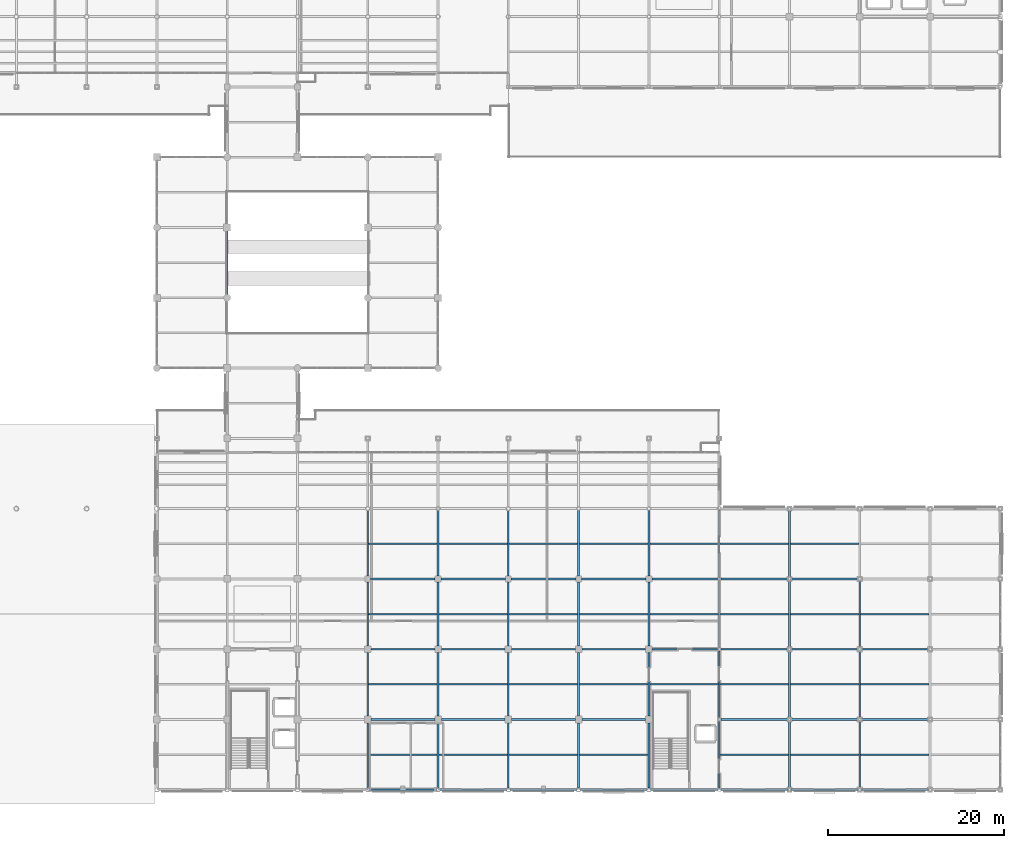
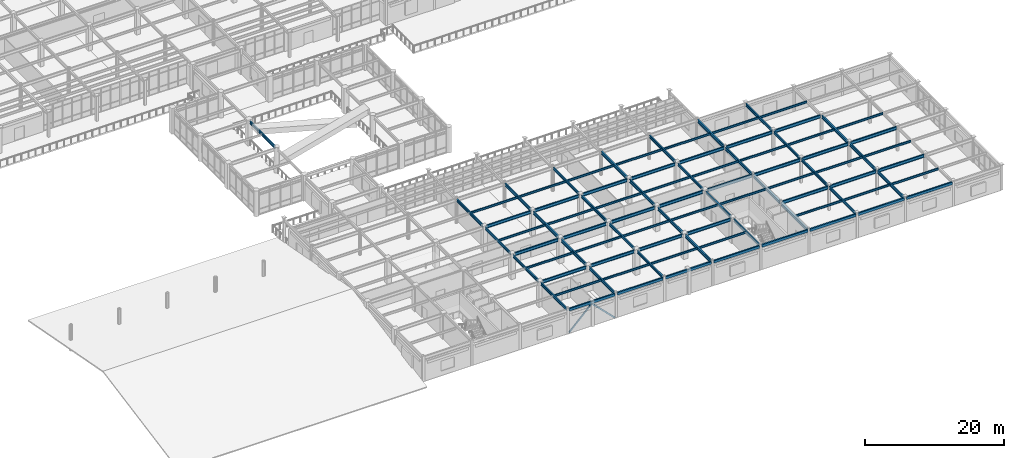
# One storey, part 25 of 111: 92 beams, 2 members.
"""IFC4 building model written with IfcOpenShell, lengths in metres."""

from ifc_helpers import new_model, si_unit, direction, frame, origin, origin_2d, place, context, subcontext, project, spatial, hollow_rectangle, i_section, extrude, material, material_profile, profile_set, type_object, element, save


model = new_model("IFC4")

# Units and contexts
model_context = context("Model", 3, precision=1e-05, world=origin(), true_north=direction((0.0, 1.0)))
body_context = subcontext(model_context, "Body", "Model", "MODEL_VIEW")
ifc_project = project(units=[si_unit("LENGTHUNIT", "METRE"), si_unit("AREAUNIT", "SQUARE_METRE"), si_unit("VOLUMEUNIT", "CUBIC_METRE"), si_unit("PLANEANGLEUNIT", "RADIAN"), si_unit("MASSUNIT", "GRAM", prefix="KILO")], contexts=[model_context])

# Site, building, storey
site_placement = place(None, origin())
site = spatial("IfcSite", under=ifc_project, at=site_placement, CompositionType="ELEMENT")
building_placement = place(site_placement, origin())
building = spatial("IfcBuilding", under=site, at=building_placement, Name="Solmirada Galleria", CompositionType="ELEMENT")
storey_placement = place(building_placement, frame((0.0, 0.0, 10.39990234375)))
storey = spatial("IfcBuildingStorey", under=building, at=storey_placement, Name="L02", CompositionType="ELEMENT", Elevation=10.39990234375)

# Beams
ifc_material_1 = material(Name="Steel S355 / ASTM A992 Grade 50", Category="steel")
ifc_material_profile_1 = material_profile(ifc_material_1, i_section(OverallWidth=0.194091796875, OverallDepth=0.468994140625, WebThickness=0.0126953125, FlangeThickness=0.0205078125, FilletRadius=0.013916015625, at=origin_2d()), Name="W18X71")
ifc_profile_set_1 = profile_set([ifc_material_profile_1], Name="Steel S355 / ASTM A992 Grade 50")
beam_type_1 = type_object("IfcBeamType", Name="BM-GIRD-W18B", PredefinedType="BEAM", material=ifc_profile_set_1)
beam_1_placement = place(storey_placement, frame((88.0, 56.3359375, 4.065673828125), z_axis=(0.0, 1.0, 0.0), x_axis=(-1.0, 0.0, 0.0)))
element("IfcBeam", 1, at=beam_1_placement, inside=storey, type_object=beam_type_1, Name="Primary girder L03 Y(88, 56..64)", PredefinedType="BEAM", context=body_context, shape_type="SweptSolid", body=[
    extrude(i_section(OverallWidth=0.194091796875, OverallDepth=0.468994140625, WebThickness=0.0126953125, FlangeThickness=0.0205078125, FilletRadius=0.013916015625, at=origin_2d()), origin(), (0.0, 0.0, 1.0), 7.26416015625),
])
beam_2_placement = place(storey_placement, frame((104.0, 0.202880859375, 4.065673828125), z_axis=(0.0, 1.0, 0.0), x_axis=(-1.0, 0.0, 0.0)))
element("IfcBeam", 2, at=beam_2_placement, inside=storey, type_object=beam_type_1, Name="Primary girder L03 Y(104, 0..8)", PredefinedType="BEAM", context=body_context, shape_type="SweptSolid", body=[
    extrude(i_section(OverallWidth=0.194091796875, OverallDepth=0.468994140625, WebThickness=0.0126953125, FlangeThickness=0.0205078125, FilletRadius=0.013916015625, at=origin_2d()), origin(), (0.0, 0.0, 1.0), 7.422119140625),
])
beam_3_placement = place(storey_placement, frame((104.0, 8.375, 4.065673828125), z_axis=(0.0, 1.0, 0.0), x_axis=(-1.0, 0.0, 0.0)))
element("IfcBeam", 3, at=beam_3_placement, inside=storey, type_object=beam_type_1, Name="Primary girder L03 Y(104, 8..16)", PredefinedType="BEAM", context=body_context, shape_type="SweptSolid", body=[
    extrude(i_section(OverallWidth=0.194091796875, OverallDepth=0.468994140625, WebThickness=0.0126953125, FlangeThickness=0.0205078125, FilletRadius=0.013916015625, at=origin_2d()), origin(), (0.0, 0.0, 1.0), 7.25),
])
beam_4_placement = place(storey_placement, frame((104.0, 16.375, 4.065673828125), z_axis=(0.0, 1.0, 0.0), x_axis=(-1.0, 0.0, 0.0)))
element("IfcBeam", 4, at=beam_4_placement, inside=storey, type_object=beam_type_1, Name="Primary girder L03 Y(104, 16..24)", PredefinedType="BEAM", context=body_context, shape_type="SweptSolid", body=[
    extrude(i_section(OverallWidth=0.194091796875, OverallDepth=0.468994140625, WebThickness=0.0126953125, FlangeThickness=0.0205078125, FilletRadius=0.013916015625, at=origin_2d()), origin(), (0.0, 0.0, 1.0), 7.300048828125),
])
beam_5_placement = place(storey_placement, frame((104.0, 24.324951171875, 4.065673828125), z_axis=(0.0, 1.0, 0.0), x_axis=(-1.0, 0.0, 0.0)))
element("IfcBeam", 5, at=beam_5_placement, inside=storey, type_object=beam_type_1, Name="Primary girder L03 Y(104, 24..32)", PredefinedType="BEAM", context=body_context, shape_type="SweptSolid", body=[
    extrude(i_section(OverallWidth=0.194091796875, OverallDepth=0.468994140625, WebThickness=0.0126953125, FlangeThickness=0.0205078125, FilletRadius=0.013916015625, at=origin_2d()), origin(), (0.0, 0.0, 1.0), 7.483154296875),
])
beam_6_placement = place(storey_placement, frame((120.0, 0.202880859375, 4.065673828125), z_axis=(0.0, 1.0, 0.0), x_axis=(-1.0, 0.0, 0.0)))
element("IfcBeam", 6, at=beam_6_placement, inside=storey, type_object=beam_type_1, Name="Primary girder L03 Y(120, 0..8)", PredefinedType="BEAM", context=body_context, shape_type="SweptSolid", body=[
    extrude(i_section(OverallWidth=0.194091796875, OverallDepth=0.468994140625, WebThickness=0.0126953125, FlangeThickness=0.0205078125, FilletRadius=0.013916015625, at=origin_2d()), origin(), (0.0, 0.0, 1.0), 7.422119140625),
])
beam_7_placement = place(storey_placement, frame((120.0, 8.375, 4.065673828125), z_axis=(0.0, 1.0, 0.0), x_axis=(-1.0, 0.0, 0.0)))
element("IfcBeam", 7, at=beam_7_placement, inside=storey, type_object=beam_type_1, Name="Primary girder L03 Y(120, 8..16)", PredefinedType="BEAM", context=body_context, shape_type="SweptSolid", body=[
    extrude(i_section(OverallWidth=0.194091796875, OverallDepth=0.468994140625, WebThickness=0.0126953125, FlangeThickness=0.0205078125, FilletRadius=0.013916015625, at=origin_2d()), origin(), (0.0, 0.0, 1.0), 7.25),
])
beam_8_placement = place(storey_placement, frame((120.0, 16.375, 4.065673828125), z_axis=(0.0, 1.0, 0.0), x_axis=(-1.0, 0.0, 0.0)))
element("IfcBeam", 8, at=beam_8_placement, inside=storey, type_object=beam_type_1, Name="Primary girder L03 Y(120, 16..24)", PredefinedType="BEAM", context=body_context, shape_type="SweptSolid", body=[
    extrude(i_section(OverallWidth=0.194091796875, OverallDepth=0.468994140625, WebThickness=0.0126953125, FlangeThickness=0.0205078125, FilletRadius=0.013916015625, at=origin_2d()), origin(), (0.0, 0.0, 1.0), 7.300048828125),
])
beam_9_placement = place(storey_placement, frame((120.0, 24.324951171875, 4.065673828125), z_axis=(0.0, 1.0, 0.0), x_axis=(-1.0, 0.0, 0.0)))
element("IfcBeam", 9, at=beam_9_placement, inside=storey, type_object=beam_type_1, Name="Primary girder L03 Y(120, 24..32)", PredefinedType="BEAM", context=body_context, shape_type="SweptSolid", body=[
    extrude(i_section(OverallWidth=0.194091796875, OverallDepth=0.468994140625, WebThickness=0.0126953125, FlangeThickness=0.0205078125, FilletRadius=0.013916015625, at=origin_2d()), origin(), (0.0, 0.0, 1.0), 7.483154296875),
])
beam_10_placement = place(storey_placement, frame((136.0, 0.202880859375, 4.065673828125), z_axis=(0.0, 1.0, 0.0), x_axis=(-1.0, 0.0, 0.0)))
element("IfcBeam", 10, at=beam_10_placement, inside=storey, type_object=beam_type_1, Name="Primary girder L03 Y(136, 0..8)", PredefinedType="BEAM", context=body_context, shape_type="SweptSolid", body=[
    extrude(i_section(OverallWidth=0.194091796875, OverallDepth=0.468994140625, WebThickness=0.0126953125, FlangeThickness=0.0205078125, FilletRadius=0.013916015625, at=origin_2d()), origin(), (0.0, 0.0, 1.0), 7.422119140625),
])
beam_11_placement = place(storey_placement, frame((136.0, 8.375, 4.065673828125), z_axis=(0.0, 1.0, 0.0), x_axis=(-1.0, 0.0, 0.0)))
element("IfcBeam", 11, at=beam_11_placement, inside=storey, type_object=beam_type_1, Name="Primary girder L03 Y(136, 8..16)", PredefinedType="BEAM", context=body_context, shape_type="SweptSolid", body=[
    extrude(i_section(OverallWidth=0.194091796875, OverallDepth=0.468994140625, WebThickness=0.0126953125, FlangeThickness=0.0205078125, FilletRadius=0.013916015625, at=origin_2d()), origin(), (0.0, 0.0, 1.0), 7.25),
])
beam_12_placement = place(storey_placement, frame((136.0, 16.375, 4.065673828125), z_axis=(0.0, 1.0, 0.0), x_axis=(-1.0, 0.0, 0.0)))
element("IfcBeam", 12, at=beam_12_placement, inside=storey, type_object=beam_type_1, Name="Primary girder L03 Y(136, 16..24)", PredefinedType="BEAM", context=body_context, shape_type="SweptSolid", body=[
    extrude(i_section(OverallWidth=0.194091796875, OverallDepth=0.468994140625, WebThickness=0.0126953125, FlangeThickness=0.0205078125, FilletRadius=0.013916015625, at=origin_2d()), origin(), (0.0, 0.0, 1.0), 7.300048828125),
])
beam_13_placement = place(storey_placement, frame((136.0, 24.324951171875, 4.065673828125), z_axis=(0.0, 1.0, 0.0), x_axis=(-1.0, 0.0, 0.0)))
element("IfcBeam", 13, at=beam_13_placement, inside=storey, type_object=beam_type_1, Name="Primary girder L03 Y(136, 24..32)", PredefinedType="BEAM", context=body_context, shape_type="SweptSolid", body=[
    extrude(i_section(OverallWidth=0.194091796875, OverallDepth=0.468994140625, WebThickness=0.0126953125, FlangeThickness=0.0205078125, FilletRadius=0.013916015625, at=origin_2d()), origin(), (0.0, 0.0, 1.0), 7.504638671875),
])
for number, where, z_axis, x_axis, name in (
    (14, (152.0, 0.177978515625, 4.025634765625), (0.0, 1.0, 0.0), (-1.0, 0.0, 0.0), "Primary girder L03 Y(152, 0..8)"),
    (15, (152.0, 8.177978515625, 4.025634765625), (0.0, 1.0, 0.0), (-1.0, 0.0, 0.0), "Primary girder L03 Y(152, 8..16)"),
    (16, (152.0, 16.177978515625, 4.025634765625), (0.0, 1.0, 0.0), (-1.0, 0.0, 0.0), "Primary girder L03 Y(152, 16..24)"),
    (17, (152.0, 24.177978515625, 4.025634765625), (0.0, 1.0, 0.0), (-1.0, 0.0, 0.0), "Primary girder L03 Y(152, 24..32)"),
):
    element("IfcBeam", number, at=place(storey_placement, frame(where, z_axis=z_axis, x_axis=x_axis)), inside=storey, type_object=beam_type_1, Name=name, PredefinedType="BEAM", context=body_context, shape_type="SweptSolid", body=[
        extrude(i_section(OverallWidth=0.194091796875, OverallDepth=0.468994140625, WebThickness=0.0126953125, FlangeThickness=0.0205078125, FilletRadius=0.013916015625, at=origin_2d()), origin(), (0.0, 0.0, 1.0), 7.64404296875),
    ])
ifc_material_profile_2 = material_profile(ifc_material_1, i_section(OverallWidth=0.214111328125, OverallDepth=0.549072265625, WebThickness=0.0146484375, FlangeThickness=0.023681640625, FilletRadius=0.014892578125, at=origin_2d()), Name="W21X93")
ifc_profile_set_2 = profile_set([ifc_material_profile_2], Name="Steel S355 / ASTM A992 Grade 50")
beam_type_2 = type_object("IfcBeamType", Name="BM-GIRD-W21A", PredefinedType="BEAM", material=ifc_profile_set_2)
for number, where, z_axis, x_axis, name in (
    (18, (104.375, 16.0, 4.025634765625), (1.0, 0.0, 0.0), (0.0, 1.0, 0.0), "Primary beam L03 X(104..112, 16)"),
    (19, (112.375, 16.0, 4.025634765625), (1.0, 0.0, 0.0), (0.0, 1.0, 0.0), "Primary beam L03 X(112..120, 16)"),
    (20, (120.375, 16.0, 4.025634765625), (1.0, 0.0, 0.0), (0.0, 1.0, 0.0), "Primary beam L03 X(120..128, 16)"),
    (21, (128.375, 16.0, 4.025634765625), (1.0, 0.0, 0.0), (0.0, 1.0, 0.0), "Primary beam L03 X(128..136, 16)"),
):
    element("IfcBeam", number, at=place(storey_placement, frame(where, z_axis=z_axis, x_axis=x_axis)), inside=storey, type_object=beam_type_2, Name=name, PredefinedType="BEAM", context=body_context, shape_type="SweptSolid", body=[
        extrude(i_section(OverallWidth=0.214111328125, OverallDepth=0.549072265625, WebThickness=0.0146484375, FlangeThickness=0.023681640625, FilletRadius=0.014892578125, at=origin_2d()), origin(), (0.0, 0.0, 1.0), 7.25),
    ])
beam_14_placement = place(storey_placement, frame((136.375, 16.0, 4.025634765625), z_axis=(1.0, 0.0, 0.0), x_axis=(0.0, 1.0, 0.0)))
element("IfcBeam", 22, at=beam_14_placement, inside=storey, type_object=beam_type_2, Name="Primary beam L03 X(136..144, 16)", PredefinedType="BEAM", context=body_context, shape_type="SweptSolid", body=[
    extrude(i_section(OverallWidth=0.214111328125, OverallDepth=0.549072265625, WebThickness=0.0146484375, FlangeThickness=0.023681640625, FilletRadius=0.014892578125, at=origin_2d()), origin(), (0.0, 0.0, 1.0), 7.447021484375),
])
for number, where, z_axis, x_axis, name in (
    (23, (144.177978515625, 16.0, 3.985595703125), (1.0, 0.0, 0.0), (0.0, 1.0, 0.0), "Primary beam L03 X(144..152, 16)"),
    (24, (152.177978515625, 16.0, 3.985595703125), (1.0, 0.0, 0.0), (0.0, 1.0, 0.0), "Primary beam L03 X(152..160, 16)"),
    (25, (160.177978515625, 16.0, 3.985595703125), (1.0, 0.0, 0.0), (0.0, 1.0, 0.0), "Primary beam L03 X(160..168, 16)"),
):
    element("IfcBeam", number, at=place(storey_placement, frame(where, z_axis=z_axis, x_axis=x_axis)), inside=storey, type_object=beam_type_2, Name=name, PredefinedType="BEAM", context=body_context, shape_type="SweptSolid", body=[
        extrude(i_section(OverallWidth=0.214111328125, OverallDepth=0.549072265625, WebThickness=0.0146484375, FlangeThickness=0.023681640625, FilletRadius=0.014892578125, at=origin_2d()), origin(), (0.0, 0.0, 1.0), 7.64404296875),
    ])
ifc_material_profile_3 = material_profile(ifc_material_1, i_section(OverallWidth=0.2099609375, OverallDepth=0.537109375, WebThickness=0.010986328125, FlangeThickness=0.017333984375, FilletRadius=0.014892578125, at=origin_2d()), Name="W21X68")
ifc_profile_set_3 = profile_set([ifc_material_profile_3], Name="Steel S355 / ASTM A992 Grade 50")
beam_type_3 = type_object("IfcBeamType", Name="BM-GIRD-W21B", PredefinedType="BEAM", material=ifc_profile_set_3)
beam_15_placement = place(storey_placement, frame((104.375, 8.0, 4.031494140625), z_axis=(1.0, 0.0, 0.0), x_axis=(0.0, 1.0, 0.0)))
element("IfcBeam", 26, at=beam_15_placement, inside=storey, type_object=beam_type_3, Name="Primary beam L03 X(104..112, 8)", PredefinedType="BEAM", context=body_context, shape_type="SweptSolid", body=[
    extrude(i_section(OverallWidth=0.2099609375, OverallDepth=0.537109375, WebThickness=0.010986328125, FlangeThickness=0.017333984375, FilletRadius=0.014892578125, at=origin_2d()), origin(), (0.0, 0.0, 1.0), 7.25),
])
beam_16_placement = place(storey_placement, frame((104.324951171875, 24.0, 4.031494140625), z_axis=(1.0, 0.0, 0.0), x_axis=(0.0, 1.0, 0.0)))
element("IfcBeam", 27, at=beam_16_placement, inside=storey, type_object=beam_type_3, Name="Primary beam L03 X(104..112, 24)", PredefinedType="BEAM", context=body_context, shape_type="SweptSolid", body=[
    extrude(i_section(OverallWidth=0.2099609375, OverallDepth=0.537109375, WebThickness=0.010986328125, FlangeThickness=0.017333984375, FilletRadius=0.014892578125, at=origin_2d()), origin(), (0.0, 0.0, 1.0), 7.35009765625),
])
beam_17_placement = place(storey_placement, frame((112.375, 8.0, 4.031494140625), z_axis=(1.0, 0.0, 0.0), x_axis=(0.0, 1.0, 0.0)))
element("IfcBeam", 28, at=beam_17_placement, inside=storey, type_object=beam_type_3, Name="Primary beam L03 X(112..120, 8)", PredefinedType="BEAM", context=body_context, shape_type="SweptSolid", body=[
    extrude(i_section(OverallWidth=0.2099609375, OverallDepth=0.537109375, WebThickness=0.010986328125, FlangeThickness=0.017333984375, FilletRadius=0.014892578125, at=origin_2d()), origin(), (0.0, 0.0, 1.0), 7.25),
])
beam_18_placement = place(storey_placement, frame((112.324951171875, 24.0, 4.031494140625), z_axis=(1.0, 0.0, 0.0), x_axis=(0.0, 1.0, 0.0)))
element("IfcBeam", 29, at=beam_18_placement, inside=storey, type_object=beam_type_3, Name="Primary beam L03 X(112..120, 24)", PredefinedType="BEAM", context=body_context, shape_type="SweptSolid", body=[
    extrude(i_section(OverallWidth=0.2099609375, OverallDepth=0.537109375, WebThickness=0.010986328125, FlangeThickness=0.017333984375, FilletRadius=0.014892578125, at=origin_2d()), origin(), (0.0, 0.0, 1.0), 7.35009765625),
])
beam_19_placement = place(storey_placement, frame((120.375, 8.0, 4.031494140625), z_axis=(1.0, 0.0, 0.0), x_axis=(0.0, 1.0, 0.0)))
element("IfcBeam", 30, at=beam_19_placement, inside=storey, type_object=beam_type_3, Name="Primary beam L03 X(120..128, 8)", PredefinedType="BEAM", context=body_context, shape_type="SweptSolid", body=[
    extrude(i_section(OverallWidth=0.2099609375, OverallDepth=0.537109375, WebThickness=0.010986328125, FlangeThickness=0.017333984375, FilletRadius=0.014892578125, at=origin_2d()), origin(), (0.0, 0.0, 1.0), 7.25),
])
beam_20_placement = place(storey_placement, frame((120.324951171875, 24.0, 4.031494140625), z_axis=(1.0, 0.0, 0.0), x_axis=(0.0, 1.0, 0.0)))
element("IfcBeam", 31, at=beam_20_placement, inside=storey, type_object=beam_type_3, Name="Primary beam L03 X(120..128, 24)", PredefinedType="BEAM", context=body_context, shape_type="SweptSolid", body=[
    extrude(i_section(OverallWidth=0.2099609375, OverallDepth=0.537109375, WebThickness=0.010986328125, FlangeThickness=0.017333984375, FilletRadius=0.014892578125, at=origin_2d()), origin(), (0.0, 0.0, 1.0), 7.35009765625),
])
beam_21_placement = place(storey_placement, frame((128.375, 8.0, 4.031494140625), z_axis=(1.0, 0.0, 0.0), x_axis=(0.0, 1.0, 0.0)))
element("IfcBeam", 32, at=beam_21_placement, inside=storey, type_object=beam_type_3, Name="Primary beam L03 X(128..136, 8)", PredefinedType="BEAM", context=body_context, shape_type="SweptSolid", body=[
    extrude(i_section(OverallWidth=0.2099609375, OverallDepth=0.537109375, WebThickness=0.010986328125, FlangeThickness=0.017333984375, FilletRadius=0.014892578125, at=origin_2d()), origin(), (0.0, 0.0, 1.0), 7.25),
])
beam_22_placement = place(storey_placement, frame((128.324951171875, 24.0, 4.031494140625), z_axis=(1.0, 0.0, 0.0), x_axis=(0.0, 1.0, 0.0)))
element("IfcBeam", 33, at=beam_22_placement, inside=storey, type_object=beam_type_3, Name="Primary beam L03 X(128..136, 24)", PredefinedType="BEAM", context=body_context, shape_type="SweptSolid", body=[
    extrude(i_section(OverallWidth=0.2099609375, OverallDepth=0.537109375, WebThickness=0.010986328125, FlangeThickness=0.017333984375, FilletRadius=0.014892578125, at=origin_2d()), origin(), (0.0, 0.0, 1.0), 7.35009765625),
])
beam_23_placement = place(storey_placement, frame((136.324951171875, 24.0, 4.031494140625), z_axis=(1.0, 0.0, 0.0), x_axis=(0.0, 1.0, 0.0)))
element("IfcBeam", 34, at=beam_23_placement, inside=storey, type_object=beam_type_3, Name="Primary beam L03 X(136..144, 24)", PredefinedType="BEAM", context=body_context, shape_type="SweptSolid", body=[
    extrude(i_section(OverallWidth=0.2099609375, OverallDepth=0.537109375, WebThickness=0.010986328125, FlangeThickness=0.017333984375, FilletRadius=0.014892578125, at=origin_2d()), origin(), (0.0, 0.0, 1.0), 7.4970703125),
])
for number, where, z_axis, x_axis, name in (
    (35, (144.177978515625, 8.0, 3.99169921875), (1.0, 0.0, 0.0), (0.0, 1.0, 0.0), "Primary beam L03 X(144..152, 8)"),
    (36, (144.177978515625, 24.0, 3.99169921875), (1.0, 0.0, 0.0), (0.0, 1.0, 0.0), "Primary beam L03 X(144..152, 24)"),
    (37, (152.177978515625, 8.0, 3.99169921875), (1.0, 0.0, 0.0), (0.0, 1.0, 0.0), "Primary beam L03 X(152..160, 8)"),
    (38, (152.177978515625, 24.0, 3.99169921875), (1.0, 0.0, 0.0), (0.0, 1.0, 0.0), "Primary beam L03 X(152..160, 24)"),
    (39, (160.177978515625, 8.0, 3.99169921875), (1.0, 0.0, 0.0), (0.0, 1.0, 0.0), "Primary beam L03 X(160..168, 8)"),
):
    element("IfcBeam", number, at=place(storey_placement, frame(where, z_axis=z_axis, x_axis=x_axis)), inside=storey, type_object=beam_type_3, Name=name, PredefinedType="BEAM", context=body_context, shape_type="SweptSolid", body=[
        extrude(i_section(OverallWidth=0.2099609375, OverallDepth=0.537109375, WebThickness=0.010986328125, FlangeThickness=0.017333984375, FilletRadius=0.014892578125, at=origin_2d()), origin(), (0.0, 0.0, 1.0), 7.64404296875),
    ])
beam_24_placement = place(storey_placement, frame((112.0, 0.202880859375, 4.031494140625), z_axis=(0.0, 1.0, 0.0), x_axis=(-1.0, 0.0, 0.0)))
element("IfcBeam", 40, at=beam_24_placement, inside=storey, type_object=beam_type_3, Name="Primary girder L03 Y(112, 0..8)", PredefinedType="BEAM", context=body_context, shape_type="SweptSolid", body=[
    extrude(i_section(OverallWidth=0.2099609375, OverallDepth=0.537109375, WebThickness=0.010986328125, FlangeThickness=0.017333984375, FilletRadius=0.014892578125, at=origin_2d()), origin(), (0.0, 0.0, 1.0), 7.422119140625),
])
beam_25_placement = place(storey_placement, frame((112.0, 8.375, 4.031494140625), z_axis=(0.0, 1.0, 0.0), x_axis=(-1.0, 0.0, 0.0)))
element("IfcBeam", 41, at=beam_25_placement, inside=storey, type_object=beam_type_3, Name="Primary girder L03 Y(112, 8..16)", PredefinedType="BEAM", context=body_context, shape_type="SweptSolid", body=[
    extrude(i_section(OverallWidth=0.2099609375, OverallDepth=0.537109375, WebThickness=0.010986328125, FlangeThickness=0.017333984375, FilletRadius=0.014892578125, at=origin_2d()), origin(), (0.0, 0.0, 1.0), 7.25),
])
beam_26_placement = place(storey_placement, frame((112.0, 16.375, 4.031494140625), z_axis=(0.0, 1.0, 0.0), x_axis=(-1.0, 0.0, 0.0)))
element("IfcBeam", 42, at=beam_26_placement, inside=storey, type_object=beam_type_3, Name="Primary girder L03 Y(112, 16..24)", PredefinedType="BEAM", context=body_context, shape_type="SweptSolid", body=[
    extrude(i_section(OverallWidth=0.2099609375, OverallDepth=0.537109375, WebThickness=0.010986328125, FlangeThickness=0.017333984375, FilletRadius=0.014892578125, at=origin_2d()), origin(), (0.0, 0.0, 1.0), 7.300048828125),
])
beam_27_placement = place(storey_placement, frame((112.0, 24.324951171875, 4.031494140625), z_axis=(0.0, 1.0, 0.0), x_axis=(-1.0, 0.0, 0.0)))
element("IfcBeam", 43, at=beam_27_placement, inside=storey, type_object=beam_type_3, Name="Primary girder L03 Y(112, 24..32)", PredefinedType="BEAM", context=body_context, shape_type="SweptSolid", body=[
    extrude(i_section(OverallWidth=0.2099609375, OverallDepth=0.537109375, WebThickness=0.010986328125, FlangeThickness=0.017333984375, FilletRadius=0.014892578125, at=origin_2d()), origin(), (0.0, 0.0, 1.0), 7.483154296875),
])
beam_28_placement = place(storey_placement, frame((128.0, 0.202880859375, 4.031494140625), z_axis=(0.0, 1.0, 0.0), x_axis=(-1.0, 0.0, 0.0)))
element("IfcBeam", 44, at=beam_28_placement, inside=storey, type_object=beam_type_3, Name="Primary girder L03 Y(128, 0..8)", PredefinedType="BEAM", context=body_context, shape_type="SweptSolid", body=[
    extrude(i_section(OverallWidth=0.2099609375, OverallDepth=0.537109375, WebThickness=0.010986328125, FlangeThickness=0.017333984375, FilletRadius=0.014892578125, at=origin_2d()), origin(), (0.0, 0.0, 1.0), 7.422119140625),
])
beam_29_placement = place(storey_placement, frame((128.0, 8.375, 4.031494140625), z_axis=(0.0, 1.0, 0.0), x_axis=(-1.0, 0.0, 0.0)))
element("IfcBeam", 45, at=beam_29_placement, inside=storey, type_object=beam_type_3, Name="Primary girder L03 Y(128, 8..16)", PredefinedType="BEAM", context=body_context, shape_type="SweptSolid", body=[
    extrude(i_section(OverallWidth=0.2099609375, OverallDepth=0.537109375, WebThickness=0.010986328125, FlangeThickness=0.017333984375, FilletRadius=0.014892578125, at=origin_2d()), origin(), (0.0, 0.0, 1.0), 7.25),
])
beam_30_placement = place(storey_placement, frame((128.0, 16.375, 4.031494140625), z_axis=(0.0, 1.0, 0.0), x_axis=(-1.0, 0.0, 0.0)))
element("IfcBeam", 46, at=beam_30_placement, inside=storey, type_object=beam_type_3, Name="Primary girder L03 Y(128, 16..24)", PredefinedType="BEAM", context=body_context, shape_type="SweptSolid", body=[
    extrude(i_section(OverallWidth=0.2099609375, OverallDepth=0.537109375, WebThickness=0.010986328125, FlangeThickness=0.017333984375, FilletRadius=0.014892578125, at=origin_2d()), origin(), (0.0, 0.0, 1.0), 7.300048828125),
])
beam_31_placement = place(storey_placement, frame((128.0, 24.324951171875, 4.031494140625), z_axis=(0.0, 1.0, 0.0), x_axis=(-1.0, 0.0, 0.0)))
element("IfcBeam", 47, at=beam_31_placement, inside=storey, type_object=beam_type_3, Name="Primary girder L03 Y(128, 24..32)", PredefinedType="BEAM", context=body_context, shape_type="SweptSolid", body=[
    extrude(i_section(OverallWidth=0.2099609375, OverallDepth=0.537109375, WebThickness=0.010986328125, FlangeThickness=0.017333984375, FilletRadius=0.014892578125, at=origin_2d()), origin(), (0.0, 0.0, 1.0), 7.504638671875),
])
for number, where, z_axis, x_axis, name in (
    (48, (144.0, 0.177978515625, 3.99169921875), (0.0, 1.0, 0.0), (-1.0, 0.0, 0.0), "Primary girder L03 Y(144, 0..8)"),
    (49, (144.0, 8.177978515625, 3.99169921875), (0.0, 1.0, 0.0), (-1.0, 0.0, 0.0), "Primary girder L03 Y(144, 8..16)"),
    (50, (144.0, 16.177978515625, 3.99169921875), (0.0, 1.0, 0.0), (-1.0, 0.0, 0.0), "Primary girder L03 Y(144, 16..24)"),
):
    element("IfcBeam", number, at=place(storey_placement, frame(where, z_axis=z_axis, x_axis=x_axis)), inside=storey, type_object=beam_type_3, Name=name, PredefinedType="BEAM", context=body_context, shape_type="SweptSolid", body=[
        extrude(i_section(OverallWidth=0.2099609375, OverallDepth=0.537109375, WebThickness=0.010986328125, FlangeThickness=0.017333984375, FilletRadius=0.014892578125, at=origin_2d()), origin(), (0.0, 0.0, 1.0), 7.64404296875),
    ])
beam_32_placement = place(storey_placement, frame((144.0, 24.177978515625, 3.99169921875), z_axis=(0.0, 1.0, 0.0), x_axis=(-1.0, 0.0, 0.0)))
element("IfcBeam", 51, at=beam_32_placement, inside=storey, type_object=beam_type_3, Name="Primary girder L03 Y(144, 24..32)", PredefinedType="BEAM", context=body_context, shape_type="SweptSolid", body=[
    extrude(i_section(OverallWidth=0.2099609375, OverallDepth=0.537109375, WebThickness=0.010986328125, FlangeThickness=0.017333984375, FilletRadius=0.014892578125, at=origin_2d()), origin(), (0.0, 0.0, 1.0), 7.651611328125),
])
for number, where, z_axis, x_axis, name in (
    (52, (160.0, 0.177978515625, 3.99169921875), (0.0, 1.0, 0.0), (-1.0, 0.0, 0.0), "Primary girder L03 Y(160, 0..8)"),
    (53, (160.0, 8.177978515625, 3.99169921875), (0.0, 1.0, 0.0), (-1.0, 0.0, 0.0), "Primary girder L03 Y(160, 8..16)"),
    (54, (160.0, 16.177978515625, 3.99169921875), (0.0, 1.0, 0.0), (-1.0, 0.0, 0.0), "Primary girder L03 Y(160, 16..24)"),
):
    element("IfcBeam", number, at=place(storey_placement, frame(where, z_axis=z_axis, x_axis=x_axis)), inside=storey, type_object=beam_type_3, Name=name, PredefinedType="BEAM", context=body_context, shape_type="SweptSolid", body=[
        extrude(i_section(OverallWidth=0.2099609375, OverallDepth=0.537109375, WebThickness=0.010986328125, FlangeThickness=0.017333984375, FilletRadius=0.014892578125, at=origin_2d()), origin(), (0.0, 0.0, 1.0), 7.64404296875),
    ])
ifc_material_profile_4 = material_profile(ifc_material_1, i_section(OverallWidth=0.172119140625, OverallDepth=0.35791015625, WebThickness=0.0078125, FlangeThickness=0.01318359375, FilletRadius=0.011962890625, at=origin_2d()), Name="W14X38")
ifc_profile_set_4 = profile_set([ifc_material_profile_4], Name="Steel S355 / ASTM A992 Grade 50")
beam_type_4 = type_object("IfcBeamType", Name="BM-JST-W14A", PredefinedType="JOIST", material=ifc_profile_set_4)
for number, where, z_axis, x_axis, name in (
    (55, (104.096923828125, 4.0, 4.12109375), (1.0, 0.0, 0.0), (0.0, 1.0, 0.0), "Composite floor joist L03 (104..112, 4.0)"),
    (56, (104.096923828125, 12.0, 4.12109375), (1.0, 0.0, 0.0), (0.0, 1.0, 0.0), "Composite floor joist L03 (104..112, 12.0)"),
    (57, (104.096923828125, 20.0, 4.12109375), (1.0, 0.0, 0.0), (0.0, 1.0, 0.0), "Composite floor joist L03 (104..112, 20.0)"),
    (58, (104.096923828125, 28.0, 4.12109375), (1.0, 0.0, 0.0), (0.0, 1.0, 0.0), "Composite floor joist L03 (104..112, 28.0)"),
    (59, (112.10498046875, 4.0, 4.12109375), (1.0, 0.0, 0.0), (0.0, 1.0, 0.0), "Composite floor joist L03 (112..120, 4.0)"),
    (60, (112.10498046875, 12.0, 4.12109375), (1.0, 0.0, 0.0), (0.0, 1.0, 0.0), "Composite floor joist L03 (112..120, 12.0)"),
    (61, (112.10498046875, 20.0, 4.12109375), (1.0, 0.0, 0.0), (0.0, 1.0, 0.0), "Composite floor joist L03 (112..120, 20.0)"),
    (62, (112.10498046875, 28.0, 4.12109375), (1.0, 0.0, 0.0), (0.0, 1.0, 0.0), "Composite floor joist L03 (112..120, 28.0)"),
    (63, (120.096923828125, 4.0, 4.12109375), (1.0, 0.0, 0.0), (0.0, 1.0, 0.0), "Composite floor joist L03 (120..128, 4.0)"),
    (64, (120.096923828125, 12.0, 4.12109375), (1.0, 0.0, 0.0), (0.0, 1.0, 0.0), "Composite floor joist L03 (120..128, 12.0)"),
    (65, (120.096923828125, 20.0, 4.12109375), (1.0, 0.0, 0.0), (0.0, 1.0, 0.0), "Composite floor joist L03 (120..128, 20.0)"),
    (66, (120.096923828125, 28.0, 4.12109375), (1.0, 0.0, 0.0), (0.0, 1.0, 0.0), "Composite floor joist L03 (120..128, 28.0)"),
    (67, (128.10498046875, 4.0, 4.12109375), (1.0, 0.0, 0.0), (0.0, 1.0, 0.0), "Composite floor joist L03 (128..136, 4.0)"),
    (68, (128.10498046875, 12.0, 4.12109375), (1.0, 0.0, 0.0), (0.0, 1.0, 0.0), "Composite floor joist L03 (128..136, 12.0)"),
    (69, (128.10498046875, 20.0, 4.12109375), (1.0, 0.0, 0.0), (0.0, 1.0, 0.0), "Composite floor joist L03 (128..136, 20.0)"),
    (70, (128.10498046875, 28.0, 4.12109375), (1.0, 0.0, 0.0), (0.0, 1.0, 0.0), "Composite floor joist L03 (128..136, 28.0)"),
    (71, (136.096923828125, 12.0, 4.0810546875), (1.0, 0.0, 0.0), (0.0, 1.0, 0.0), "Composite floor joist L03 (136..144, 12.0)"),
    (72, (136.096923828125, 20.0, 4.0810546875), (1.0, 0.0, 0.0), (0.0, 1.0, 0.0), "Composite floor joist L03 (136..144, 20.0)"),
    (73, (136.096923828125, 28.0, 4.0810546875), (1.0, 0.0, 0.0), (0.0, 1.0, 0.0), "Composite floor joist L03 (136..144, 28.0)"),
    (74, (144.10498046875, 4.0, 4.0810546875), (1.0, 0.0, 0.0), (0.0, 1.0, 0.0), "Composite floor joist L03 (144..152, 4.0)"),
    (75, (144.10498046875, 12.0, 4.0810546875), (1.0, 0.0, 0.0), (0.0, 1.0, 0.0), "Composite floor joist L03 (144..152, 12.0)"),
    (76, (144.10498046875, 20.0, 4.0810546875), (1.0, 0.0, 0.0), (0.0, 1.0, 0.0), "Composite floor joist L03 (144..152, 20.0)"),
    (77, (144.10498046875, 28.0, 4.0810546875), (1.0, 0.0, 0.0), (0.0, 1.0, 0.0), "Composite floor joist L03 (144..152, 28.0)"),
    (78, (152.096923828125, 4.0, 4.0810546875), (1.0, 0.0, 0.0), (0.0, 1.0, 0.0), "Composite floor joist L03 (152..160, 4.0)"),
    (79, (152.096923828125, 12.0, 4.0810546875), (1.0, 0.0, 0.0), (0.0, 1.0, 0.0), "Composite floor joist L03 (152..160, 12.0)"),
    (80, (152.096923828125, 20.0, 4.0810546875), (1.0, 0.0, 0.0), (0.0, 1.0, 0.0), "Composite floor joist L03 (152..160, 20.0)"),
    (81, (152.096923828125, 28.0, 4.0810546875), (1.0, 0.0, 0.0), (0.0, 1.0, 0.0), "Composite floor joist L03 (152..160, 28.0)"),
    (82, (160.10498046875, 4.0, 4.0810546875), (1.0, 0.0, 0.0), (0.0, 1.0, 0.0), "Composite floor joist L03 (160..168, 4.0)"),
    (83, (160.10498046875, 12.0, 4.0810546875), (1.0, 0.0, 0.0), (0.0, 1.0, 0.0), "Composite floor joist L03 (160..168, 12.0)"),
    (84, (160.10498046875, 20.0, 4.0810546875), (1.0, 0.0, 0.0), (0.0, 1.0, 0.0), "Composite floor joist L03 (160..168, 20.0)"),
):
    element("IfcBeam", number, at=place(storey_placement, frame(where, z_axis=z_axis, x_axis=x_axis)), inside=storey, type_object=beam_type_4, Name=name, PredefinedType="JOIST", context=body_context, shape_type="SweptSolid", body=[
        extrude(i_section(OverallWidth=0.172119140625, OverallDepth=0.35791015625, WebThickness=0.0078125, FlangeThickness=0.01318359375, FilletRadius=0.011962890625, at=origin_2d()), origin(), (0.0, 0.0, 1.0), 7.798095703125),
    ])
ifc_material_2 = material(Name="Steel S355 / ASTM A500 Grade C", Category="steel")
ifc_material_profile_5 = material_profile(ifc_material_2, hollow_rectangle(XDim=0.25390625, YDim=0.45703125, WallThickness=0.01171875, InnerFilletRadius=0.01171875, OuterFilletRadius=0.023681640625, at=origin_2d()), Name="HSS18X10X1/2")
ifc_profile_set_5 = profile_set([ifc_material_profile_5], Name="Steel S355 / ASTM A500 Grade C")
beam_type_5 = type_object("IfcBeamType", Name="BM-SPAND-W18", PredefinedType="SPANDREL", material=ifc_profile_set_5)
for number, where, z_axis, x_axis, name in (
    (85, (104.202880859375, 0.0, 4.071533203125), (1.0, 0.0, 0.0), (0.0, 1.0, 0.0), "Primary beam L03 X(104..112, 0)"),
    (86, (112.202880859375, 0.0, 4.071533203125), (1.0, 0.0, 0.0), (0.0, 1.0, 0.0), "Primary beam L03 X(112..120, 0)"),
    (87, (120.202880859375, 0.0, 4.071533203125), (1.0, 0.0, 0.0), (0.0, 1.0, 0.0), "Primary beam L03 X(120..128, 0)"),
    (88, (128.202880859375, 0.0, 4.071533203125), (1.0, 0.0, 0.0), (0.0, 1.0, 0.0), "Primary beam L03 X(128..136, 0)"),
):
    element("IfcBeam", number, at=place(storey_placement, frame(where, z_axis=z_axis, x_axis=x_axis)), inside=storey, type_object=beam_type_5, Name=name, PredefinedType="SPANDREL", context=body_context, shape_type="SweptSolid", body=[
        extrude(hollow_rectangle(XDim=0.25390625, YDim=0.45703125, WallThickness=0.01171875, InnerFilletRadius=0.01171875, OuterFilletRadius=0.023681640625, at=origin_2d()), origin(), (0.0, 0.0, 1.0), 7.59423828125),
    ])
beam_33_placement = place(storey_placement, frame((136.202880859375, 0.0, 4.071533203125), z_axis=(1.0, 0.0, 0.0), x_axis=(0.0, 1.0, 0.0)))
element("IfcBeam", 89, at=beam_33_placement, inside=storey, type_object=beam_type_5, Name="Primary beam L03 X(136..144, 0)", PredefinedType="SPANDREL", context=body_context, shape_type="SweptSolid", body=[
    extrude(hollow_rectangle(XDim=0.25390625, YDim=0.45703125, WallThickness=0.01171875, InnerFilletRadius=0.01171875, OuterFilletRadius=0.023681640625, at=origin_2d()), origin(), (0.0, 0.0, 1.0), 7.619140625),
])
for number, where, z_axis, x_axis, name in (
    (90, (144.177978515625, 0.0, 4.031494140625), (1.0, 0.0, 0.0), (0.0, 1.0, 0.0), "Primary beam L03 X(144..152, 0)"),
    (91, (152.177978515625, 0.0, 4.031494140625), (1.0, 0.0, 0.0), (0.0, 1.0, 0.0), "Primary beam L03 X(152..160, 0)"),
    (92, (160.177978515625, 0.0, 4.031494140625), (1.0, 0.0, 0.0), (0.0, 1.0, 0.0), "Primary beam L03 X(160..168, 0)"),
):
    element("IfcBeam", number, at=place(storey_placement, frame(where, z_axis=z_axis, x_axis=x_axis)), inside=storey, type_object=beam_type_5, Name=name, PredefinedType="SPANDREL", context=body_context, shape_type="SweptSolid", body=[
        extrude(hollow_rectangle(XDim=0.25390625, YDim=0.45703125, WallThickness=0.01171875, InnerFilletRadius=0.01171875, OuterFilletRadius=0.023681640625, at=origin_2d()), origin(), (0.0, 0.0, 1.0), 7.64404296875),
    ])

# Members
ifc_material_profile_6 = material_profile(ifc_material_2, hollow_rectangle(XDim=0.152099609375, YDim=0.25390625, WallThickness=0.0087890625, InnerFilletRadius=0.0087890625, OuterFilletRadius=0.017822265625, at=origin_2d()), Name="HSS10X6X3/8")
ifc_profile_set_6 = profile_set([ifc_material_profile_6], Name="Steel S355 / ASTM A500 Grade C")
member_type = type_object("IfcMemberType", Name="MEM-CBF-EXT", PredefinedType="BRACE", material=ifc_profile_set_6)
for number, where, z_axis, x_axis, name in (
    (93, (104.202880859375, 0.0, 0.02001953125), (0.706834047822, 0.0, 0.707379409397), (0.0, 1.0, 0.0), "Braced frame diagonal CBF-S1 L02 A"),
    (94, (111.797119140625, 0.0, 0.02001953125), (-0.706834047822, 0.0, 0.707379409397), (0.0, -1.0, 0.0), "Braced frame diagonal CBF-S1 L02 B"),
):
    element("IfcMember", number, at=place(storey_placement, frame(where, z_axis=z_axis, x_axis=x_axis)), inside=storey, type_object=member_type, Name=name, PredefinedType="BRACE", context=body_context, shape_type="SweptSolid", body=[
        extrude(hollow_rectangle(XDim=0.152099609375, YDim=0.25390625, WallThickness=0.0087890625, InnerFilletRadius=0.0087890625, OuterFilletRadius=0.017822265625, at=origin_2d()), origin(), (0.0, 0.0, 1.0), 5.3720703125),
    ])

save(model, "model.ifc")
